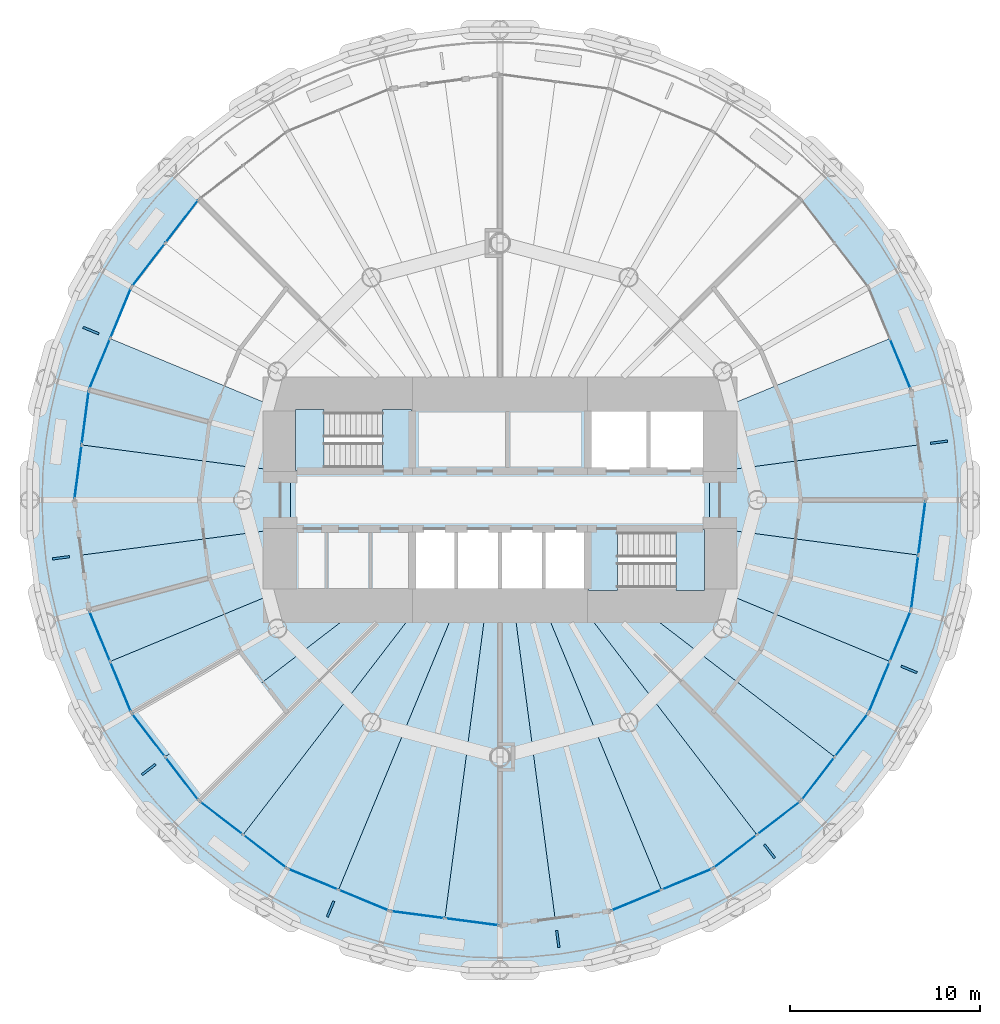
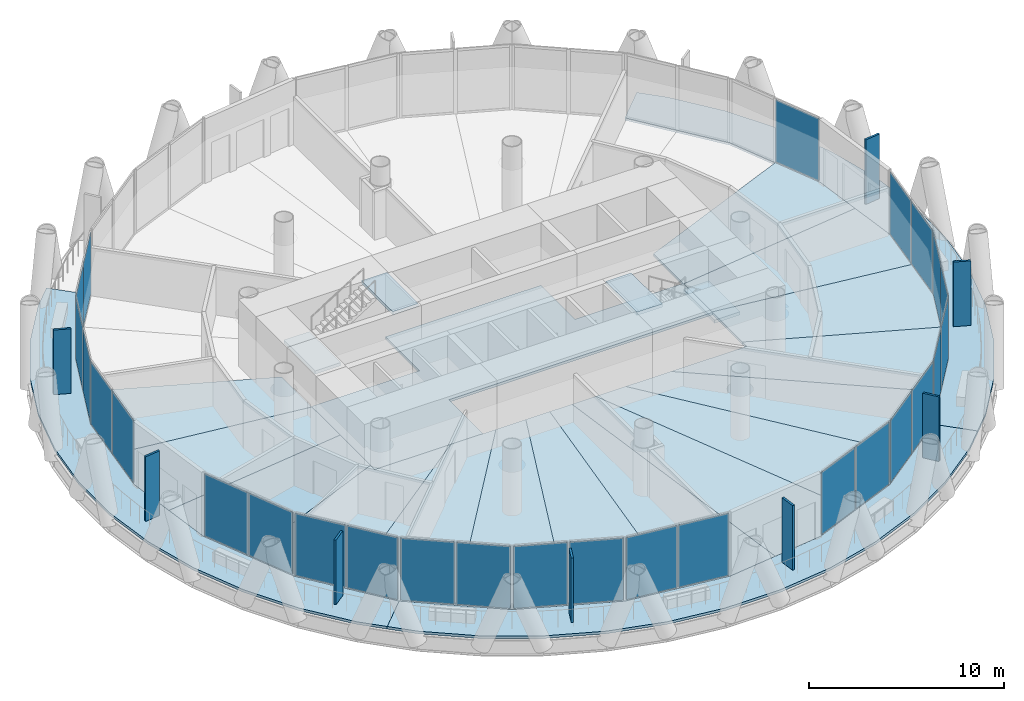
# One storey, part 8 of 15: 35 plates, 23 slabs, 16 elements without a shape of their own.
"""IFC4 building model written with IfcOpenShell, lengths in metres."""

from ifc_helpers import new_model, si_unit, direction, frame, origin, origin_2d, place, context, subcontext, project, spatial, polyline, rectangle, outline, extrude, material, layer, layer_set, type_object, element, aggregate, save


model = new_model("IFC4")

# Units and contexts
model_context = context("Model", 3, precision=1e-05, world=origin(), true_north=direction((0.0, 1.0)))
body_context = subcontext(model_context, "Body", "Model", "MODEL_VIEW")
ifc_project = project(units=[si_unit("LENGTHUNIT", "METRE"), si_unit("AREAUNIT", "SQUARE_METRE"), si_unit("VOLUMEUNIT", "CUBIC_METRE"), si_unit("PLANEANGLEUNIT", "RADIAN"), si_unit("MASSUNIT", "GRAM", prefix="KILO")], contexts=[model_context])

# Site, building, storey
site_placement = place(None, origin())
site = spatial("IfcSite", under=ifc_project, at=site_placement, CompositionType="ELEMENT")
building_placement = place(site_placement, origin())
building = spatial("IfcBuilding", under=site, at=building_placement, Name="Qaws Media Tower", CompositionType="ELEMENT")
storey_placement = place(building_placement, frame((0.0, 0.0, 156.199951171875)))
storey = spatial("IfcBuildingStorey", under=building, at=storey_placement, Name="L35", CompositionType="ELEMENT", Elevation=156.199951171875)

# Slabs
ifc_material_1 = material(Name="Concrete C35/45", Category="concrete")
ifc_layer_1 = layer(ifc_material_1, 0.159912109375)
ifc_layer_set_1 = layer_set([ifc_layer_1], Name="Composite balcony slab 160")
slab_type_1 = type_object("IfcSlabType", Name="Composite balcony slab 160", PredefinedType="FLOOR", material=ifc_layer_set_1)
slab_1_placement = place(storey_placement, frame((0.0, 0.0, -0.159912109375)))
element("IfcSlab", 1, at=slab_1_placement, inside=storey, type_object=slab_type_1, Name="S2 balcony slab L35 R10 to R16, movement joints on R10 and R16", PredefinedType="FLOOR", context=body_context, shape_type="SweptSolid", body=[
    extrude(outline(polyline([(41.39208984375, 33.68115234375), (39.421142578125, 36.24951171875), (37.802490234375, 39.053466796875), (36.5634765625, 42.04443359375), (35.7255859375, 45.17138671875), (35.302978515625, 48.38134765625), (35.302978515625, 51.61865234375), (35.7255859375, 54.82861328125), (36.5634765625, 57.95556640625), (37.802490234375, 60.946533203125), (39.421142578125, 63.75048828125), (41.39208984375, 66.31884765625), (42.53662109375, 67.46337890625), (44.1962890625, 65.8037109375), (40.644287109375, 61.175048828125), (38.41162109375, 55.78466796875), (37.64990234375, 50.0), (38.41162109375, 44.21533203125), (40.644287109375, 38.824951171875), (44.1962890625, 34.1962890625), (42.53662109375, 32.53662109375), (41.39208984375, 33.68115234375)])), origin(), (0.0, 0.0, 1.0), 0.159912109375),
])
slab_2_placement = place(storey_placement, frame((0.0, 0.0, -0.159912109375)))
element("IfcSlab", 2, at=slab_2_placement, inside=storey, type_object=slab_type_1, Name="S2 balcony slab L35 R16 to R22, movement joints on R16 and R22", PredefinedType="FLOOR", context=body_context, shape_type="SweptSolid", body=[
    extrude(outline(polyline([(76.31884765625, 31.39208984375), (73.75048828125, 29.421142578125), (70.946533203125, 27.802490234375), (67.95556640625, 26.5634765625), (64.82861328125, 25.7255859375), (61.61865234375, 25.302978515625), (58.38134765625, 25.302978515625), (55.17138671875, 25.7255859375), (52.04443359375, 26.5634765625), (49.053466796875, 27.802490234375), (46.24951171875, 29.421142578125), (43.68115234375, 31.39208984375), (42.53662109375, 32.53662109375), (44.1962890625, 34.1962890625), (48.824951171875, 30.644287109375), (54.21533203125, 28.41162109375), (60.0, 27.64990234375), (65.78466796875, 28.41162109375), (71.175048828125, 30.644287109375), (75.8037109375, 34.1962890625), (77.46337890625, 32.53662109375), (76.31884765625, 31.39208984375)])), origin(), (0.0, 0.0, 1.0), 0.159912109375),
])
slab_3_placement = place(storey_placement, frame((0.0, 0.0, -0.159912109375)))
element("IfcSlab", 3, at=slab_3_placement, inside=storey, type_object=slab_type_1, Name="S2 balcony slab L35 R22 to R04, movement joints on R22 and R04", PredefinedType="FLOOR", context=body_context, shape_type="SweptSolid", body=[
    extrude(outline(polyline([(84.2744140625, 45.17138671875), (83.4365234375, 42.04443359375), (82.197509765625, 39.053466796875), (80.578857421875, 36.24951171875), (78.60791015625, 33.68115234375), (77.46337890625, 32.53662109375), (75.8037109375, 34.1962890625), (79.355712890625, 38.824951171875), (81.58837890625, 44.21533203125), (82.35009765625, 50.0), (81.58837890625, 55.78466796875), (79.355712890625, 61.175048828125), (75.8037109375, 65.8037109375), (77.46337890625, 67.46337890625), (78.60791015625, 66.31884765625), (80.578857421875, 63.75048828125), (82.197509765625, 60.946533203125), (83.4365234375, 57.95556640625), (84.2744140625, 54.82861328125), (84.697021484375, 51.61865234375), (84.697021484375, 48.38134765625), (84.2744140625, 45.17138671875)])), origin(), (0.0, 0.0, 1.0), 0.159912109375),
])
ifc_material_2 = material(Name="Concrete C35/45", Category="concrete")
ifc_layer_2 = layer(ifc_material_2, 0.159912109375)
ifc_layer_set_2 = layer_set([ifc_layer_2], Name="Composite floor slab 160")
slab_type_2 = type_object("IfcSlabType", Name="Composite floor slab 160", PredefinedType="FLOOR", material=ifc_layer_set_2)
slab_4_placement = place(storey_placement, frame((0.0, 0.0, -0.159912109375)))
element("IfcSlab", 4, at=slab_4_placement, inside=storey, type_object=slab_type_2, Name="S1 core floor slab L35", PredefinedType="FLOOR", context=body_context, shape_type="SweptSolid", body=[
    extrude(outline(polyline([(71.0, 51.5), (71.0, 48.5), (55.39990234375, 48.5), (55.39990234375, 45.0), (49.0, 45.0), (49.0, 51.5), (55.39990234375, 51.5), (55.39990234375, 55.0), (64.60009765625, 55.0), (64.60009765625, 51.5), (71.0, 51.5)])), origin(), (0.0, 0.0, 1.0), 0.159912109375),
])
slab_5_placement = place(storey_placement, frame((0.0, 0.0, -0.159912109375)))
element("IfcSlab", 5, at=slab_5_placement, inside=storey, type_object=slab_type_2, Name="S1 floor panel L35 on R01", PredefinedType="FLOOR", context=body_context, shape_type="SweptSolid", body=[
    extrude(outline(polyline([(82.35009765625, 50.0), (81.96923828125, 47.107666015625), (71.0, 48.5517578125), (71.0, 51.4482421875), (81.96923828125, 52.892333984375), (82.35009765625, 50.0)])), origin(), (0.0, 0.0, 1.0), 0.159912109375),
])
slab_6_placement = place(storey_placement, frame((0.0, 0.0, -0.159912109375)))
element("IfcSlab", 6, at=slab_6_placement, inside=storey, type_object=slab_type_2, Name="S1 floor panel L35 on R02", PredefinedType="FLOOR", context=body_context, shape_type="SweptSolid", body=[
    extrude(outline(polyline([(81.58837890625, 55.78466796875), (81.96923828125, 52.892333984375), (71.0, 51.4482421875), (71.0, 54.556396484375), (80.47216796875, 58.479736328125), (81.58837890625, 55.78466796875)])), origin(), (0.0, 0.0, 1.0), 0.159912109375),
])
slab_7_placement = place(storey_placement, frame((0.0, 0.0, -0.159912109375)))
element("IfcSlab", 7, at=slab_7_placement, inside=storey, type_object=slab_type_2, Name="S1 floor panel L35 on R12", PredefinedType="FLOOR", context=body_context, shape_type="SweptSolid", body=[
    extrude(outline(polyline([(38.41162109375, 55.78466796875), (39.52783203125, 58.479736328125), (49.0, 54.556396484375), (49.0, 51.4482421875), (38.03076171875, 52.892333984375), (38.41162109375, 55.78466796875)])), origin(), (0.0, 0.0, 1.0), 0.159912109375),
])
slab_8_placement = place(storey_placement, frame((0.0, 0.0, -0.159912109375)))
element("IfcSlab", 8, at=slab_8_placement, inside=storey, type_object=slab_type_2, Name="S1 floor panel L35 on R13", PredefinedType="FLOOR", context=body_context, shape_type="SweptSolid", body=[
    extrude(outline(polyline([(37.64990234375, 50.0), (38.03076171875, 52.892333984375), (49.0, 51.4482421875), (49.0, 48.5517578125), (38.03076171875, 47.107666015625), (37.64990234375, 50.0)])), origin(), (0.0, 0.0, 1.0), 0.159912109375),
])
slab_9_placement = place(storey_placement, frame((0.0, 0.0, -0.159912109375)))
element("IfcSlab", 9, at=slab_9_placement, inside=storey, type_object=slab_type_2, Name="S1 floor panel L35 on R14", PredefinedType="FLOOR", context=body_context, shape_type="SweptSolid", body=[
    extrude(outline(polyline([(38.41162109375, 44.21533203125), (38.03076171875, 47.107666015625), (49.0, 48.5517578125), (49.0, 45.443603515625), (39.52783203125, 41.520263671875), (38.41162109375, 44.21533203125)])), origin(), (0.0, 0.0, 1.0), 0.159912109375),
])
slab_10_placement = place(storey_placement, frame((0.0, 0.0, -0.159912109375)))
element("IfcSlab", 10, at=slab_10_placement, inside=storey, type_object=slab_type_2, Name="S1 floor panel L35 on R15", PredefinedType="FLOOR", context=body_context, shape_type="SweptSolid", body=[
    extrude(outline(polyline([(40.644287109375, 38.824951171875), (39.52783203125, 41.520263671875), (49.0, 45.443603515625), (49.0, 45.0), (53.48388671875, 45.0), (42.420166015625, 36.510498046875), (40.644287109375, 38.824951171875)])), origin(), (0.0, 0.0, 1.0), 0.159912109375),
])
slab_11_placement = place(storey_placement, frame((0.0, 0.0, -0.159912109375)))
element("IfcSlab", 11, at=slab_11_placement, inside=storey, type_object=slab_type_2, Name="S1 floor panel L35 on R16", PredefinedType="FLOOR", context=body_context, shape_type="SweptSolid", body=[
    extrude(outline(polyline([(44.1962890625, 34.1962890625), (42.420166015625, 36.510498046875), (53.48388671875, 45.0), (56.163330078125, 45.0), (46.510498046875, 32.420166015625), (44.1962890625, 34.1962890625)])), origin(), (0.0, 0.0, 1.0), 0.159912109375),
])
slab_12_placement = place(storey_placement, frame((0.0, 0.0, -0.159912109375)))
element("IfcSlab", 12, at=slab_12_placement, inside=storey, type_object=slab_type_2, Name="S1 floor panel L35 on R17", PredefinedType="FLOOR", context=body_context, shape_type="SweptSolid", body=[
    extrude(outline(polyline([(48.824951171875, 30.644287109375), (46.510498046875, 32.420166015625), (56.163330078125, 45.0), (57.928955078125, 45.0), (51.520263671875, 29.52783203125), (48.824951171875, 30.644287109375)])), origin(), (0.0, 0.0, 1.0), 0.159912109375),
])
slab_13_placement = place(storey_placement, frame((0.0, 0.0, -0.159912109375)))
element("IfcSlab", 13, at=slab_13_placement, inside=storey, type_object=slab_type_2, Name="S1 floor panel L35 on R18", PredefinedType="FLOOR", context=body_context, shape_type="SweptSolid", body=[
    extrude(outline(polyline([(54.21533203125, 28.41162109375), (51.520263671875, 29.52783203125), (57.928955078125, 45.0), (59.341796875, 45.0), (57.107666015625, 28.03076171875), (54.21533203125, 28.41162109375)])), origin(), (0.0, 0.0, 1.0), 0.159912109375),
])
slab_14_placement = place(storey_placement, frame((0.0, 0.0, -0.159912109375)))
element("IfcSlab", 14, at=slab_14_placement, inside=storey, type_object=slab_type_2, Name="S1 floor panel L35 on R19", PredefinedType="FLOOR", context=body_context, shape_type="SweptSolid", body=[
    extrude(outline(polyline([(60.0, 27.64990234375), (57.107666015625, 28.03076171875), (59.341796875, 45.0), (60.658203125, 45.0), (62.892333984375, 28.03076171875), (60.0, 27.64990234375)])), origin(), (0.0, 0.0, 1.0), 0.159912109375),
])
slab_15_placement = place(storey_placement, frame((0.0, 0.0, -0.159912109375)))
element("IfcSlab", 15, at=slab_15_placement, inside=storey, type_object=slab_type_2, Name="S1 floor panel L35 on R20", PredefinedType="FLOOR", context=body_context, shape_type="SweptSolid", body=[
    extrude(outline(polyline([(65.78466796875, 28.41162109375), (62.892333984375, 28.03076171875), (60.658203125, 45.0), (62.071044921875, 45.0), (68.479736328125, 29.52783203125), (65.78466796875, 28.41162109375)])), origin(), (0.0, 0.0, 1.0), 0.159912109375),
])
slab_16_placement = place(storey_placement, frame((0.0, 0.0, -0.159912109375)))
element("IfcSlab", 16, at=slab_16_placement, inside=storey, type_object=slab_type_2, Name="S1 floor panel L35 on R21", PredefinedType="FLOOR", context=body_context, shape_type="SweptSolid", body=[
    extrude(outline(polyline([(71.175048828125, 30.644287109375), (68.479736328125, 29.52783203125), (62.071044921875, 45.0), (63.836669921875, 45.0), (73.489501953125, 32.420166015625), (71.175048828125, 30.644287109375)])), origin(), (0.0, 0.0, 1.0), 0.159912109375),
])
slab_17_placement = place(storey_placement, frame((0.0, 0.0, -0.159912109375)))
element("IfcSlab", 17, at=slab_17_placement, inside=storey, type_object=slab_type_2, Name="S1 floor panel L35 on R22", PredefinedType="FLOOR", context=body_context, shape_type="SweptSolid", body=[
    extrude(outline(polyline([(75.8037109375, 34.1962890625), (73.489501953125, 32.420166015625), (63.836669921875, 45.0), (66.51611328125, 45.0), (77.579833984375, 36.510498046875), (75.8037109375, 34.1962890625)])), origin(), (0.0, 0.0, 1.0), 0.159912109375),
])
slab_18_placement = place(storey_placement, frame((0.0, 0.0, -0.159912109375)))
element("IfcSlab", 18, at=slab_18_placement, inside=storey, type_object=slab_type_2, Name="S1 floor panel L35 on R23", PredefinedType="FLOOR", context=body_context, shape_type="SweptSolid", body=[
    extrude(outline(polyline([(79.355712890625, 38.824951171875), (77.579833984375, 36.510498046875), (66.51611328125, 45.0), (71.0, 45.0), (71.0, 45.443603515625), (80.47216796875, 41.520263671875), (79.355712890625, 38.824951171875)])), origin(), (0.0, 0.0, 1.0), 0.159912109375),
])
slab_19_placement = place(storey_placement, frame((0.0, 0.0, -0.159912109375)))
element("IfcSlab", 19, at=slab_19_placement, inside=storey, type_object=slab_type_2, Name="S1 floor panel L35 on R24", PredefinedType="FLOOR", context=body_context, shape_type="SweptSolid", body=[
    extrude(outline(polyline([(80.47216796875, 41.520263671875), (71.0, 45.443603515625), (71.0, 48.5517578125), (81.96923828125, 47.107666015625), (81.58837890625, 44.21533203125), (80.47216796875, 41.520263671875)])), origin(), (0.0, 0.0, 1.0), 0.159912109375),
])

# Curtain wall, plate
ifc_material_3 = material(Name="Aluminium and clear glass", Category="aluminium")
curtain_wall_type = type_object("IfcCurtainWallType", Name="Unitised curtain wall CW-B", PredefinedType="NOTDEFINED", material=ifc_material_3)
curtain_wall_1_placement = place(storey_placement, origin())
curtain_wall_1 = element("IfcCurtainWall", 20, at=curtain_wall_1_placement, inside=storey, type_object=curtain_wall_type, Name="CWB curtain wall L35-02", PredefinedType="NOTDEFINED")
ifc_material_4 = material(Name="Clear laminated double glazing", Category="glass")
ifc_layer_3 = layer(ifc_material_4, 0.031982421875)
ifc_layer_set_3 = layer_set([ifc_layer_3], Name="Curtain wall glass unit 32")
plate_type_1 = type_object("IfcPlateType", Name="Curtain wall glass unit 32", PredefinedType="CURTAIN_PANEL", material=ifc_layer_set_3)
plate_1_placement = place(storey_placement, frame((81.022705078125, 57.150634765625, 0.080078125), z_axis=(0.0, 0.0, 1.0), x_axis=(-0.38268338828, 0.923879550772, 0.0)))
plate_1 = element("IfcPlate", 21, at=plate_1_placement, type_object=plate_type_1, Name="CWB panel 1.1", PredefinedType="CURTAIN_PANEL", context=body_context, shape_type="SweptSolid", body=[
    extrude(rectangle(XDim=2.79736328125, YDim=0.031982421875, at=origin_2d()), origin(), (0.0, 0.0, 1.0), 3.8798828125),
])
aggregate(curtain_wall_1, [plate_1])

# Curtain wall, plates
curtain_wall_2_placement = place(storey_placement, origin())
curtain_wall_2 = element("IfcCurtainWall", 22, at=curtain_wall_2_placement, inside=storey, type_object=curtain_wall_type, Name="CWB curtain wall L35-10", PredefinedType="NOTDEFINED")
plate_2_placement = place(storey_placement, frame((43.296142578125, 64.630859375, 0.080078125), z_axis=(0.0, 0.0, 1.0), x_axis=(-0.608761369344, -0.793353386074, 0.0)))
plate_2 = element("IfcPlate", 23, at=plate_2_placement, type_object=plate_type_1, Name="CWB panel 1.1", PredefinedType="CURTAIN_PANEL", context=body_context, shape_type="SweptSolid", body=[
    extrude(rectangle(XDim=2.79736328125, YDim=0.031982421875, at=origin_2d()), origin(), (0.0, 0.0, 1.0), 3.8798828125),
])
plate_3_placement = place(storey_placement, frame((41.54443359375, 62.34814453125, 0.080078125), z_axis=(0.0, 0.0, 1.0), x_axis=(-0.608761369344, -0.793353386074, 0.0)))
plate_3 = element("IfcPlate", 24, at=plate_3_placement, type_object=plate_type_1, Name="CWB panel 2.1", PredefinedType="CURTAIN_PANEL", context=body_context, shape_type="SweptSolid", body=[
    extrude(rectangle(XDim=2.79736328125, YDim=0.031982421875, at=origin_2d()), origin(), (0.0, 0.0, 1.0), 3.8798828125),
])
aggregate(curtain_wall_2, [plate_2, plate_3])

curtain_wall_3_placement = place(storey_placement, origin())
curtain_wall_3 = element("IfcCurtainWall", 25, at=curtain_wall_3_placement, inside=storey, type_object=curtain_wall_type, Name="CWB curtain wall L35-11", PredefinedType="NOTDEFINED")
plate_4_placement = place(storey_placement, frame((40.078369140625, 59.808837890625, 0.080078125), z_axis=(0.0, 0.0, 1.0), x_axis=(-0.38268338828, -0.923879550772, 0.0)))
plate_4 = element("IfcPlate", 26, at=plate_4_placement, type_object=plate_type_1, Name="CWB panel 1.1", PredefinedType="CURTAIN_PANEL", context=body_context, shape_type="SweptSolid", body=[
    extrude(rectangle(XDim=2.79736328125, YDim=0.031982421875, at=origin_2d()), origin(), (0.0, 0.0, 1.0), 3.8798828125),
])
plate_5_placement = place(storey_placement, frame((38.977294921875, 57.150634765625, 0.080078125), z_axis=(0.0, 0.0, 1.0), x_axis=(-0.38268338828, -0.923879550772, 0.0)))
plate_5 = element("IfcPlate", 27, at=plate_5_placement, type_object=plate_type_1, Name="CWB panel 2.1", PredefinedType="CURTAIN_PANEL", context=body_context, shape_type="SweptSolid", body=[
    extrude(rectangle(XDim=2.79736328125, YDim=0.031982421875, at=origin_2d()), origin(), (0.0, 0.0, 1.0), 3.8798828125),
])
aggregate(curtain_wall_3, [plate_4, plate_5])

curtain_wall_4_placement = place(storey_placement, origin())
curtain_wall_4 = element("IfcCurtainWall", 28, at=curtain_wall_4_placement, inside=storey, type_object=curtain_wall_type, Name="CWB curtain wall L35-12", PredefinedType="NOTDEFINED")
plate_6_placement = place(storey_placement, frame((38.218505859375, 54.318603515625, 0.080078125), z_axis=(0.0, 0.0, 1.0), x_axis=(-0.130526221291, -0.991444857547, 0.0)))
plate_6 = element("IfcPlate", 29, at=plate_6_placement, type_object=plate_type_1, Name="CWB panel 1.1", PredefinedType="CURTAIN_PANEL", context=body_context, shape_type="SweptSolid", body=[
    extrude(rectangle(XDim=2.79736328125, YDim=0.031982421875, at=origin_2d()), origin(), (0.0, 0.0, 1.0), 3.8798828125),
])
plate_7_placement = place(storey_placement, frame((37.843017578125, 51.466064453125, 0.080078125), z_axis=(0.0, 0.0, 1.0), x_axis=(-0.130526221291, -0.991444857547, 0.0)))
plate_7 = element("IfcPlate", 30, at=plate_7_placement, type_object=plate_type_1, Name="CWB panel 2.1", PredefinedType="CURTAIN_PANEL", context=body_context, shape_type="SweptSolid", body=[
    extrude(rectangle(XDim=2.79736328125, YDim=0.031982421875, at=origin_2d()), origin(), (0.0, 0.0, 1.0), 3.8798828125),
])
aggregate(curtain_wall_4, [plate_6, plate_7])

curtain_wall_5_placement = place(storey_placement, origin())
curtain_wall_5 = element("IfcCurtainWall", 31, at=curtain_wall_5_placement, inside=storey, type_object=curtain_wall_type, Name="CWB curtain wall L35-14", PredefinedType="NOTDEFINED")
plate_8_placement = place(storey_placement, frame((38.977294921875, 42.849365234375, 0.080078125), z_axis=(0.0, 0.0, 1.0), x_axis=(0.38268338828, -0.923879550772, 0.0)))
plate_8 = element("IfcPlate", 32, at=plate_8_placement, type_object=plate_type_1, Name="CWB panel 1.1", PredefinedType="CURTAIN_PANEL", context=body_context, shape_type="SweptSolid", body=[
    extrude(rectangle(XDim=2.79736328125, YDim=0.031982421875, at=origin_2d()), origin(), (0.0, 0.0, 1.0), 3.8798828125),
])
plate_9_placement = place(storey_placement, frame((40.078369140625, 40.191162109375, 0.080078125), z_axis=(0.0, 0.0, 1.0), x_axis=(0.38268338828, -0.923879550772, 0.0)))
plate_9 = element("IfcPlate", 33, at=plate_9_placement, type_object=plate_type_1, Name="CWB panel 2.1", PredefinedType="CURTAIN_PANEL", context=body_context, shape_type="SweptSolid", body=[
    extrude(rectangle(XDim=2.79736328125, YDim=0.031982421875, at=origin_2d()), origin(), (0.0, 0.0, 1.0), 3.8798828125),
])
aggregate(curtain_wall_5, [plate_8, plate_9])

curtain_wall_6_placement = place(storey_placement, origin())
curtain_wall_6 = element("IfcCurtainWall", 34, at=curtain_wall_6_placement, inside=storey, type_object=curtain_wall_type, Name="CWB curtain wall L35-15", PredefinedType="NOTDEFINED")
plate_10_placement = place(storey_placement, frame((41.54443359375, 37.65185546875, 0.080078125), z_axis=(0.0, 0.0, 1.0), x_axis=(0.608761369344, -0.793353386074, 0.0)))
plate_10 = element("IfcPlate", 35, at=plate_10_placement, type_object=plate_type_1, Name="CWB panel 1.1", PredefinedType="CURTAIN_PANEL", context=body_context, shape_type="SweptSolid", body=[
    extrude(rectangle(XDim=2.79736328125, YDim=0.031982421875, at=origin_2d()), origin(), (0.0, 0.0, 1.0), 3.8798828125),
])
plate_11_placement = place(storey_placement, frame((43.296142578125, 35.369140625, 0.080078125), z_axis=(0.0, 0.0, 1.0), x_axis=(0.608761369344, -0.793353386074, 0.0)))
plate_11 = element("IfcPlate", 36, at=plate_11_placement, type_object=plate_type_1, Name="CWB panel 2.1", PredefinedType="CURTAIN_PANEL", context=body_context, shape_type="SweptSolid", body=[
    extrude(rectangle(XDim=2.79736328125, YDim=0.031982421875, at=origin_2d()), origin(), (0.0, 0.0, 1.0), 3.8798828125),
])
aggregate(curtain_wall_6, [plate_10, plate_11])

curtain_wall_7_placement = place(storey_placement, origin())
curtain_wall_7 = element("IfcCurtainWall", 37, at=curtain_wall_7_placement, inside=storey, type_object=curtain_wall_type, Name="CWB curtain wall L35-16", PredefinedType="NOTDEFINED")
plate_12_placement = place(storey_placement, frame((45.369140625, 33.296142578125, 0.080078125), z_axis=(0.0, 0.0, 1.0), x_axis=(0.793353386074, -0.608761369344, 0.0)))
plate_12 = element("IfcPlate", 38, at=plate_12_placement, type_object=plate_type_1, Name="CWB panel 1.1", PredefinedType="CURTAIN_PANEL", context=body_context, shape_type="SweptSolid", body=[
    extrude(rectangle(XDim=2.79736328125, YDim=0.031982421875, at=origin_2d()), origin(), (0.0, 0.0, 1.0), 3.8798828125),
])
plate_13_placement = place(storey_placement, frame((47.65185546875, 31.54443359375, 0.080078125), z_axis=(0.0, 0.0, 1.0), x_axis=(0.793353386074, -0.608761369344, 0.0)))
plate_13 = element("IfcPlate", 39, at=plate_13_placement, type_object=plate_type_1, Name="CWB panel 2.1", PredefinedType="CURTAIN_PANEL", context=body_context, shape_type="SweptSolid", body=[
    extrude(rectangle(XDim=2.79736328125, YDim=0.031982421875, at=origin_2d()), origin(), (0.0, 0.0, 1.0), 3.8798828125),
])
aggregate(curtain_wall_7, [plate_12, plate_13])

curtain_wall_8_placement = place(storey_placement, origin())
curtain_wall_8 = element("IfcCurtainWall", 40, at=curtain_wall_8_placement, inside=storey, type_object=curtain_wall_type, Name="CWB curtain wall L35-17", PredefinedType="NOTDEFINED")
plate_14_placement = place(storey_placement, frame((50.191162109375, 30.078369140625, 0.080078125), z_axis=(0.0, 0.0, 1.0), x_axis=(0.923879550772, -0.38268338828, 0.0)))
plate_14 = element("IfcPlate", 41, at=plate_14_placement, type_object=plate_type_1, Name="CWB panel 1.1", PredefinedType="CURTAIN_PANEL", context=body_context, shape_type="SweptSolid", body=[
    extrude(rectangle(XDim=2.79736328125, YDim=0.031982421875, at=origin_2d()), origin(), (0.0, 0.0, 1.0), 3.8798828125),
])
plate_15_placement = place(storey_placement, frame((52.849365234375, 28.977294921875, 0.080078125), z_axis=(0.0, 0.0, 1.0), x_axis=(0.923879550772, -0.38268338828, 0.0)))
plate_15 = element("IfcPlate", 42, at=plate_15_placement, type_object=plate_type_1, Name="CWB panel 2.1", PredefinedType="CURTAIN_PANEL", context=body_context, shape_type="SweptSolid", body=[
    extrude(rectangle(XDim=2.79736328125, YDim=0.031982421875, at=origin_2d()), origin(), (0.0, 0.0, 1.0), 3.8798828125),
])
aggregate(curtain_wall_8, [plate_14, plate_15])

curtain_wall_9_placement = place(storey_placement, origin())
curtain_wall_9 = element("IfcCurtainWall", 43, at=curtain_wall_9_placement, inside=storey, type_object=curtain_wall_type, Name="CWB curtain wall L35-18", PredefinedType="NOTDEFINED")
plate_16_placement = place(storey_placement, frame((55.681396484375, 28.218505859375, 0.080078125), z_axis=(0.0, 0.0, 1.0), x_axis=(0.991444857547, -0.130526221291, 0.0)))
plate_16 = element("IfcPlate", 44, at=plate_16_placement, type_object=plate_type_1, Name="CWB panel 1.1", PredefinedType="CURTAIN_PANEL", context=body_context, shape_type="SweptSolid", body=[
    extrude(rectangle(XDim=2.79736328125, YDim=0.031982421875, at=origin_2d()), origin(), (0.0, 0.0, 1.0), 3.8798828125),
])
plate_17_placement = place(storey_placement, frame((58.533935546875, 27.843017578125, 0.080078125), z_axis=(0.0, 0.0, 1.0), x_axis=(0.991444857547, -0.130526221291, 0.0)))
plate_17 = element("IfcPlate", 45, at=plate_17_placement, type_object=plate_type_1, Name="CWB panel 2.1", PredefinedType="CURTAIN_PANEL", context=body_context, shape_type="SweptSolid", body=[
    extrude(rectangle(XDim=2.79736328125, YDim=0.031982421875, at=origin_2d()), origin(), (0.0, 0.0, 1.0), 3.8798828125),
])
aggregate(curtain_wall_9, [plate_16, plate_17])

curtain_wall_10_placement = place(storey_placement, origin())
curtain_wall_10 = element("IfcCurtainWall", 46, at=curtain_wall_10_placement, inside=storey, type_object=curtain_wall_type, Name="CWB curtain wall L35-20", PredefinedType="NOTDEFINED")
plate_18_placement = place(storey_placement, frame((67.150634765625, 28.977294921875, 0.080078125), z_axis=(0.0, 0.0, 1.0), x_axis=(0.923879550772, 0.38268338828, 0.0)))
plate_18 = element("IfcPlate", 47, at=plate_18_placement, type_object=plate_type_1, Name="CWB panel 1.1", PredefinedType="CURTAIN_PANEL", context=body_context, shape_type="SweptSolid", body=[
    extrude(rectangle(XDim=2.79736328125, YDim=0.031982421875, at=origin_2d()), origin(), (0.0, 0.0, 1.0), 3.8798828125),
])
plate_19_placement = place(storey_placement, frame((69.808837890625, 30.078369140625, 0.080078125), z_axis=(0.0, 0.0, 1.0), x_axis=(0.923879550772, 0.38268338828, 0.0)))
plate_19 = element("IfcPlate", 48, at=plate_19_placement, type_object=plate_type_1, Name="CWB panel 2.1", PredefinedType="CURTAIN_PANEL", context=body_context, shape_type="SweptSolid", body=[
    extrude(rectangle(XDim=2.79736328125, YDim=0.031982421875, at=origin_2d()), origin(), (0.0, 0.0, 1.0), 3.8798828125),
])
aggregate(curtain_wall_10, [plate_18, plate_19])

curtain_wall_11_placement = place(storey_placement, origin())
curtain_wall_11 = element("IfcCurtainWall", 49, at=curtain_wall_11_placement, inside=storey, type_object=curtain_wall_type, Name="CWB curtain wall L35-21", PredefinedType="NOTDEFINED")
plate_20_placement = place(storey_placement, frame((72.34814453125, 31.54443359375, 0.080078125), z_axis=(0.0, 0.0, 1.0), x_axis=(0.793353386074, 0.608761369344, 0.0)))
plate_20 = element("IfcPlate", 50, at=plate_20_placement, type_object=plate_type_1, Name="CWB panel 1.1", PredefinedType="CURTAIN_PANEL", context=body_context, shape_type="SweptSolid", body=[
    extrude(rectangle(XDim=2.79736328125, YDim=0.031982421875, at=origin_2d()), origin(), (0.0, 0.0, 1.0), 3.8798828125),
])
plate_21_placement = place(storey_placement, frame((74.630859375, 33.296142578125, 0.080078125), z_axis=(0.0, 0.0, 1.0), x_axis=(0.793353386074, 0.608761369344, 0.0)))
plate_21 = element("IfcPlate", 51, at=plate_21_placement, type_object=plate_type_1, Name="CWB panel 2.1", PredefinedType="CURTAIN_PANEL", context=body_context, shape_type="SweptSolid", body=[
    extrude(rectangle(XDim=2.79736328125, YDim=0.031982421875, at=origin_2d()), origin(), (0.0, 0.0, 1.0), 3.8798828125),
])
aggregate(curtain_wall_11, [plate_20, plate_21])

curtain_wall_12_placement = place(storey_placement, origin())
curtain_wall_12 = element("IfcCurtainWall", 52, at=curtain_wall_12_placement, inside=storey, type_object=curtain_wall_type, Name="CWB curtain wall L35-22", PredefinedType="NOTDEFINED")
plate_22_placement = place(storey_placement, frame((76.703857421875, 35.369140625, 0.080078125), z_axis=(0.0, 0.0, 1.0), x_axis=(0.608761369344, 0.793353386074, 0.0)))
plate_22 = element("IfcPlate", 53, at=plate_22_placement, type_object=plate_type_1, Name="CWB panel 1.1", PredefinedType="CURTAIN_PANEL", context=body_context, shape_type="SweptSolid", body=[
    extrude(rectangle(XDim=2.79736328125, YDim=0.031982421875, at=origin_2d()), origin(), (0.0, 0.0, 1.0), 3.8798828125),
])
plate_23_placement = place(storey_placement, frame((78.45556640625, 37.65185546875, 0.080078125), z_axis=(0.0, 0.0, 1.0), x_axis=(0.608761369344, 0.793353386074, 0.0)))
plate_23 = element("IfcPlate", 54, at=plate_23_placement, type_object=plate_type_1, Name="CWB panel 2.1", PredefinedType="CURTAIN_PANEL", context=body_context, shape_type="SweptSolid", body=[
    extrude(rectangle(XDim=2.79736328125, YDim=0.031982421875, at=origin_2d()), origin(), (0.0, 0.0, 1.0), 3.8798828125),
])
aggregate(curtain_wall_12, [plate_22, plate_23])

curtain_wall_13_placement = place(storey_placement, origin())
curtain_wall_13 = element("IfcCurtainWall", 55, at=curtain_wall_13_placement, inside=storey, type_object=curtain_wall_type, Name="CWB curtain wall L35-23", PredefinedType="NOTDEFINED")
plate_24_placement = place(storey_placement, frame((79.921630859375, 40.191162109375, 0.080078125), z_axis=(0.0, 0.0, 1.0), x_axis=(0.38268338828, 0.923879550772, 0.0)))
plate_24 = element("IfcPlate", 56, at=plate_24_placement, type_object=plate_type_1, Name="CWB panel 1.1", PredefinedType="CURTAIN_PANEL", context=body_context, shape_type="SweptSolid", body=[
    extrude(rectangle(XDim=2.79736328125, YDim=0.031982421875, at=origin_2d()), origin(), (0.0, 0.0, 1.0), 3.8798828125),
])
plate_25_placement = place(storey_placement, frame((81.022705078125, 42.849365234375, 0.080078125), z_axis=(0.0, 0.0, 1.0), x_axis=(0.38268338828, 0.923879550772, 0.0)))
plate_25 = element("IfcPlate", 57, at=plate_25_placement, type_object=plate_type_1, Name="CWB panel 2.1", PredefinedType="CURTAIN_PANEL", context=body_context, shape_type="SweptSolid", body=[
    extrude(rectangle(XDim=2.79736328125, YDim=0.031982421875, at=origin_2d()), origin(), (0.0, 0.0, 1.0), 3.8798828125),
])
aggregate(curtain_wall_13, [plate_24, plate_25])

curtain_wall_14_placement = place(storey_placement, origin())
curtain_wall_14 = element("IfcCurtainWall", 58, at=curtain_wall_14_placement, inside=storey, type_object=curtain_wall_type, Name="CWB curtain wall L35-24", PredefinedType="NOTDEFINED")
plate_26_placement = place(storey_placement, frame((81.781494140625, 45.681396484375, 0.080078125), z_axis=(0.0, 0.0, 1.0), x_axis=(0.130526221291, 0.991444857547, 0.0)))
plate_26 = element("IfcPlate", 59, at=plate_26_placement, type_object=plate_type_1, Name="CWB panel 1.1", PredefinedType="CURTAIN_PANEL", context=body_context, shape_type="SweptSolid", body=[
    extrude(rectangle(XDim=2.79736328125, YDim=0.031982421875, at=origin_2d()), origin(), (0.0, 0.0, 1.0), 3.8798828125),
])
plate_27_placement = place(storey_placement, frame((82.156982421875, 48.533935546875, 0.080078125), z_axis=(0.0, 0.0, 1.0), x_axis=(0.130526221291, 0.991444857547, 0.0)))
plate_27 = element("IfcPlate", 60, at=plate_27_placement, type_object=plate_type_1, Name="CWB panel 2.1", PredefinedType="CURTAIN_PANEL", context=body_context, shape_type="SweptSolid", body=[
    extrude(rectangle(XDim=2.79736328125, YDim=0.031982421875, at=origin_2d()), origin(), (0.0, 0.0, 1.0), 3.8798828125),
])
aggregate(curtain_wall_14, [plate_26, plate_27])

# Plates
ifc_material_5 = material(Name="Precast concrete screen fin", Category="concrete")
ifc_layer_4 = layer(ifc_material_5, 0.1201171875)
ifc_layer_set_4 = layer_set([ifc_layer_4], Name="Screen fin 120x900")
plate_type_2 = type_object("IfcPlateType", Name="Screen fin 120x900", PredefinedType="USERDEFINED", material=ifc_layer_set_4)
for number, where, z_axis, x_axis, name in (
    (61, (83.051025390625, 53.03466796875, 0.0), (0.0, 0.0, 1.0), (0.991444861374, 0.13052619222, 0.0), "SCR1 screen fin L35-01"),
    (62, (38.519775390625, 58.8974609375, 0.0), (0.0, 0.0, 1.0), (-0.923879532511, 0.382683432365, 0.0), "SCR1 screen fin L35-06"),
    (63, (36.948974609375, 46.96533203125, 0.0), (0.0, 0.0, 1.0), (-0.991444861374, -0.13052619222, 0.0), "SCR1 screen fin L35-07"),
    (64, (41.554443359375, 35.84619140625, 0.0), (0.0, 0.0, 1.0), (-0.793353340291, -0.608761429009, 0.0), "SCR1 screen fin L35-08"),
    (65, (51.1025390625, 28.519775390625, 0.0), (0.0, 0.0, 1.0), (-0.382683432365, -0.923879532511, 0.0), "SCR1 screen fin L35-09"),
    (66, (63.03466796875, 26.948974609375, 0.0), (0.0, 0.0, 1.0), (0.13052619222, -0.991444861374, 0.0), "SCR1 screen fin L35-10"),
    (67, (74.15380859375, 31.554443359375, 0.0), (0.0, 0.0, 1.0), (0.608761429009, -0.793353340291, 0.0), "SCR1 screen fin L35-11"),
    (68, (81.480224609375, 41.1025390625, 0.0), (0.0, 0.0, 1.0), (0.923879532511, -0.382683432365, 0.0), "SCR1 screen fin L35-12"),
):
    element("IfcPlate", number, at=place(storey_placement, frame(where, z_axis=z_axis, x_axis=x_axis)), inside=storey, type_object=plate_type_2, Name=name, ObjectType="SCREEN", PredefinedType="USERDEFINED", context=body_context, shape_type="SweptSolid", body=[
        extrude(rectangle(XDim=0.89990234375, YDim=0.1201171875, at=origin_2d()), origin(), (0.0, 0.0, 1.0), 4.0400390625),
    ])

# Stair, slabs
ifc_material_6 = material(Name="Concrete C40/50", Category="concrete")
stair_type = type_object("IfcStairType", Name="Exit stair", PredefinedType="HALF_TURN_STAIR", material=ifc_material_6)
stair_1_placement = place(storey_placement, origin())
stair_1 = element("IfcStair", 69, at=stair_1_placement, inside=storey, type_object=stair_type, Name="S1 exit stair L35", PredefinedType="HALF_TURN_STAIR")
ifc_material_7 = material(Name="Concrete C40/50", Category="concrete")
ifc_layer_5 = layer(ifc_material_7, 0.199951171875)
ifc_layer_set_5 = layer_set([ifc_layer_5], Name="Stair landing 200")
slab_type_3 = type_object("IfcSlabType", Name="Stair landing 200", PredefinedType="LANDING", material=ifc_layer_set_5)
slab_20_placement = place(storey_placement, frame((0.0, 0.0, 1.900146484375)))
slab_20 = element("IfcSlab", 70, at=slab_20_placement, type_object=slab_type_3, Name="S1 landing 1", PredefinedType="LANDING", context=body_context, shape_type="SweptSolid", body=[
    extrude(outline(polyline([(49.25, 51.550048828125), (50.760009765625, 51.550048828125), (50.760009765625, 54.75), (49.25, 54.75), (49.25, 51.550048828125)])), origin(), (0.0, 0.0, 1.0), 0.199951171875),
])
slab_21_placement = place(storey_placement, frame((0.0, 0.0, 4.0)))
slab_21 = element("IfcSlab", 71, at=slab_21_placement, type_object=slab_type_3, Name="S1 landing 2", PredefinedType="LANDING", context=body_context, shape_type="SweptSolid", body=[
    extrude(outline(polyline([(53.840087890625, 51.550048828125), (55.35009765625, 51.550048828125), (55.35009765625, 54.75), (53.840087890625, 54.75), (53.840087890625, 51.550048828125)])), origin(), (0.0, 0.0, 1.0), 0.199951171875),
])
aggregate(stair_1, [slab_20, slab_21])

stair_2_placement = place(storey_placement, origin())
stair_2 = element("IfcStair", 72, at=stair_2_placement, inside=storey, type_object=stair_type, Name="S2 exit stair L35", PredefinedType="HALF_TURN_STAIR")
slab_22_placement = place(storey_placement, frame((0.0, 0.0, 1.900146484375)))
slab_22 = element("IfcSlab", 73, at=slab_22_placement, type_object=slab_type_3, Name="S2 landing 1", PredefinedType="LANDING", context=body_context, shape_type="SweptSolid", body=[
    extrude(outline(polyline([(69.239990234375, 45.25), (70.75, 45.25), (70.75, 48.449951171875), (69.239990234375, 48.449951171875), (69.239990234375, 45.25)])), origin(), (0.0, 0.0, 1.0), 0.199951171875),
])
slab_23_placement = place(storey_placement, frame((0.0, 0.0, 4.0)))
slab_23 = element("IfcSlab", 74, at=slab_23_placement, type_object=slab_type_3, Name="S2 landing 2", PredefinedType="LANDING", context=body_context, shape_type="SweptSolid", body=[
    extrude(outline(polyline([(64.64990234375, 45.25), (66.159912109375, 45.25), (66.159912109375, 48.449951171875), (64.64990234375, 48.449951171875), (64.64990234375, 45.25)])), origin(), (0.0, 0.0, 1.0), 0.199951171875),
])
aggregate(stair_2, [slab_22, slab_23])

save(model, "model.ifc")
